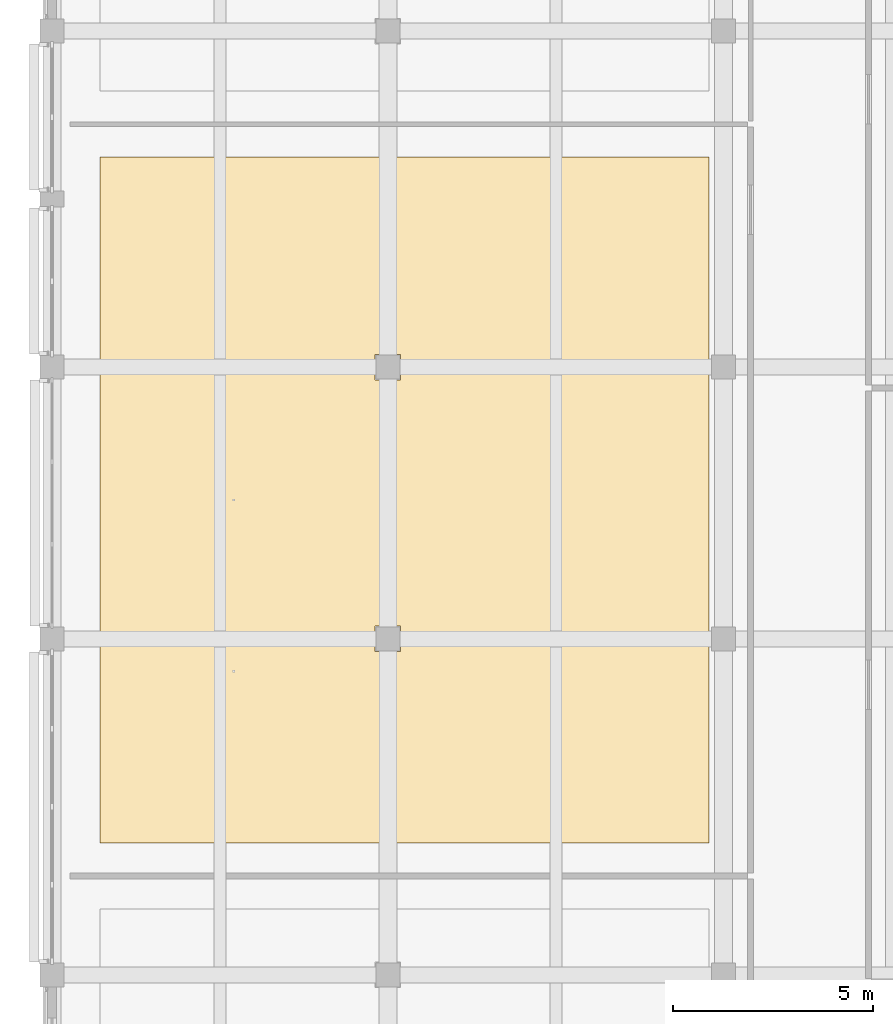
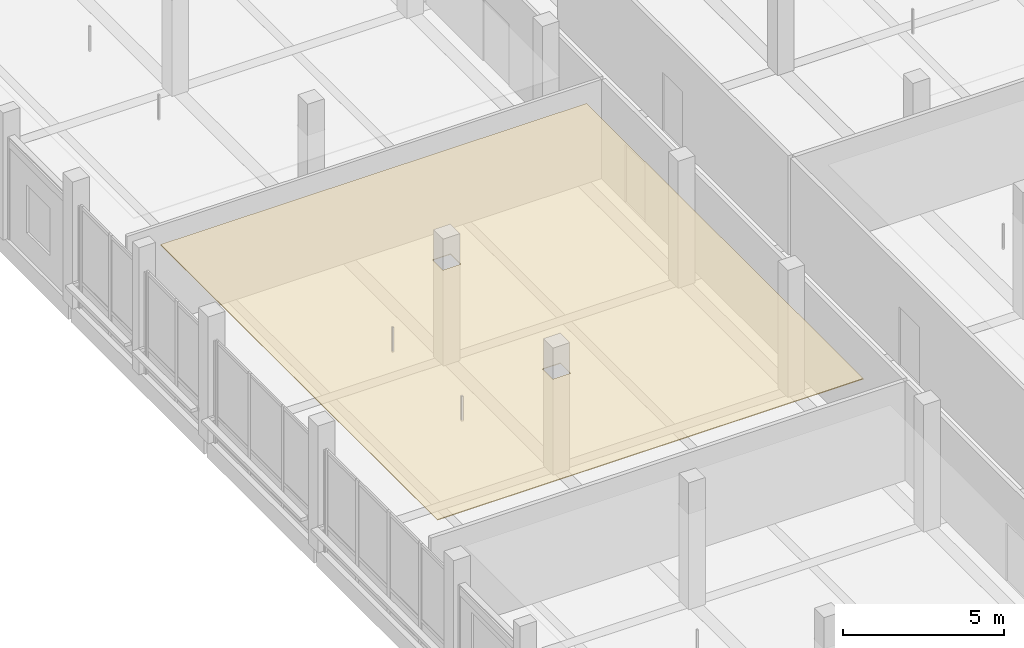
# One storey, part 97 of 122: 1 covering.
"""IFC4 building model written with IfcOpenShell, lengths in metres."""

from ifc_helpers import new_model, si_unit, direction, frame, origin, place, context, subcontext, project, spatial, polyline, outline, extrude, material, layer, layer_set, type_object, element, save


model = new_model("IFC4")

# Units and contexts
model_context = context("Model", 3, precision=1e-05, world=origin(), true_north=direction((0.0, 1.0)))
body_context = subcontext(model_context, "Body", "Model", "MODEL_VIEW")
ifc_project = project(units=[si_unit("LENGTHUNIT", "METRE"), si_unit("AREAUNIT", "SQUARE_METRE"), si_unit("VOLUMEUNIT", "CUBIC_METRE"), si_unit("PLANEANGLEUNIT", "RADIAN"), si_unit("MASSUNIT", "GRAM", prefix="KILO")], contexts=[model_context])

# Site, building, storey
site_placement = place(None, origin())
site = spatial("IfcSite", under=ifc_project, at=site_placement, CompositionType="ELEMENT")
building_placement = place(site_placement, origin())
building = spatial("IfcBuilding", under=site, at=building_placement, Name="Telukmera Botanical Conservatory", CompositionType="ELEMENT")
storey_placement = place(building_placement, frame((0.0, 0.0, 10.199951171875)))
storey = spatial("IfcBuildingStorey", under=building, at=storey_placement, Name="L02", CompositionType="ELEMENT", Elevation=10.199951171875)

# Covering
ifc_material = material(Name="Mineral fibre acoustic ceiling")
ifc_layer = layer(ifc_material, 0.030029296875)
ifc_layer_set = layer_set([ifc_layer], Name="Mineral fibre acoustic ceiling")
covering_type = type_object("IfcCoveringType", Name="COV-CEIL-30", PredefinedType="CEILING", material=ifc_layer_set)
covering_placement = place(storey_placement, frame((0.0, 0.0, 3.6201171875)))
element("IfcCovering", 1, at=covering_placement, inside=storey, type_object=covering_type, Name="L02 Junior Botanist Teaching Studio Suspended Acoustic Ceiling", PredefinedType="CEILING", context=body_context, shape_type="SweptSolid", body=[
    extrude(outline(polyline([(9.60009765625, 37.699951171875), (24.830078125, 37.699951171875), (24.830078125, 54.85009765625), (9.60009765625, 54.85009765625), (9.60009765625, 37.699951171875)]), holes=[polyline([(16.47998046875, 42.47998046875), (17.1201171875, 42.47998046875), (17.1201171875, 43.1201171875), (16.47998046875, 43.1201171875), (16.47998046875, 42.47998046875)]), polyline([(16.47998046875, 49.280029296875), (17.1201171875, 49.280029296875), (17.1201171875, 49.919921875), (16.47998046875, 49.919921875), (16.47998046875, 49.280029296875)])]), origin(), (0.0, 0.0, 1.0), 0.030029296875),
])

save(model, "model.ifc")
